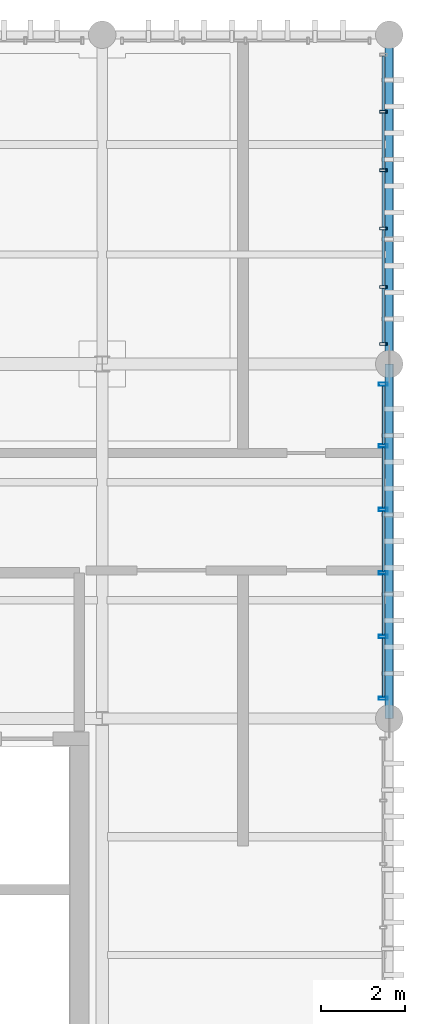
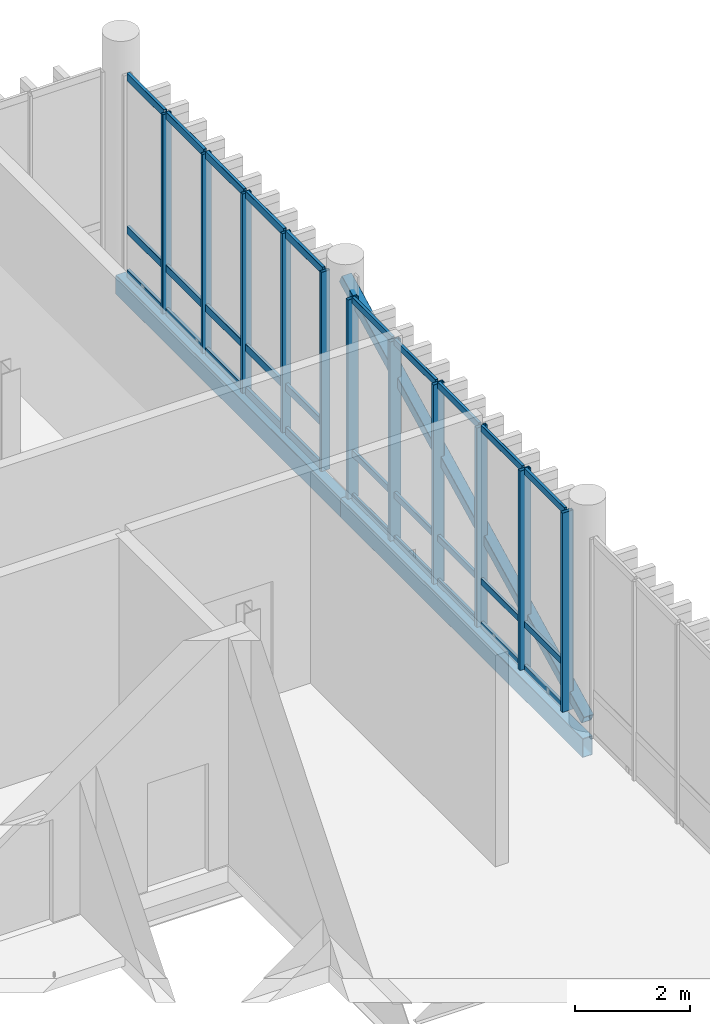
# One storey, part 58 of 86: 42 members, 2 beams, 2 elements without a shape of their own.
"""IFC4 building model written with IfcOpenShell, lengths in metres."""

from ifc_helpers import new_model, si_unit, direction, frame, origin_with_axes, origin_2d_with_axis, place, context, subcontext, project, spatial, hollow_rectangle, extrude, material, material_profile, profile_set, type_object, element, aggregate, save


model = new_model("IFC4")

# Units and contexts
model_context = context("Model", 3, precision=1e-05, world=origin_with_axes(), true_north=direction((0.0, 1.0)))
body_context = subcontext(model_context, "Body", "Model", "MODEL_VIEW")
ifc_project = project(units=[si_unit("LENGTHUNIT", "METRE"), si_unit("AREAUNIT", "SQUARE_METRE"), si_unit("VOLUMEUNIT", "CUBIC_METRE"), si_unit("PLANEANGLEUNIT", "RADIAN"), si_unit("MASSUNIT", "GRAM", prefix="KILO"), si_unit("THERMODYNAMICTEMPERATUREUNIT", "KELVIN")], contexts=[model_context])

# Site, building, storey
site_placement = place(None, origin_with_axes())
site = spatial("IfcSite", under=ifc_project, at=site_placement, CompositionType="ELEMENT")
building_placement = place(site_placement, origin_with_axes())
building = spatial("IfcBuilding", under=site, at=building_placement, Name="Montbau Bow Law Courts", CompositionType="ELEMENT")
storey_placement = place(building_placement, frame((0.0, 0.0, 29.7), z_axis=(0.0, 0.0, 1.0), x_axis=(1.0, 0.0, 0.0)))
storey = spatial("IfcBuildingStorey", under=building, at=storey_placement, Name="L06", CompositionType="ELEMENT", Elevation=29.7)

# Beams
ifc_material_1 = material(Name="Steel CSA G40.21 Grade 350WT (350 MPa)", Category="steel")
ifc_material_profile_1 = material_profile(ifc_material_1, hollow_rectangle(XDim=0.203, YDim=0.406, WallThickness=0.0127, InnerFilletRadius=0.0254, OuterFilletRadius=0.0127, at=origin_2d_with_axis()), Name="HSS406X203X13", Category="Main", Priority=0)
ifc_profile_set_1 = profile_set([ifc_material_profile_1], Name="Steel CSA G40.21 Grade 350WT (350 MPa)")
beam_type = type_object("IfcBeamType", Name="B-SPN-01", PredefinedType="SPANDREL", material=ifc_profile_set_1)
beam_1_placement = place(None, frame((169.4, 94.8, 29.157), z_axis=(0.0, 1.0, 0.0), x_axis=(-1.0, 0.0, 0.0)))
element("IfcBeam", 1, at=beam_1_placement, inside=storey, type_object=beam_type, Name="SPN-L06-S1336:bm2_1339", PredefinedType="SPANDREL", context=body_context, shape_type="SweptSolid", body=[
    extrude(hollow_rectangle(XDim=0.203, YDim=0.406, WallThickness=0.0127, InnerFilletRadius=0.0254, OuterFilletRadius=0.0127, at=origin_2d_with_axis()), origin_with_axes(), (0.0, 0.0, 1.0), 8.4),
])
beam_2_placement = place(None, frame((169.4, 103.2, 29.157), z_axis=(0.0, 1.0, 0.0), x_axis=(-1.0, 0.0, 0.0)))
element("IfcBeam", 2, at=beam_2_placement, inside=storey, type_object=beam_type, Name="SPN-L06-S1337:bm2_1340", PredefinedType="SPANDREL", context=body_context, shape_type="SweptSolid", body=[
    extrude(hollow_rectangle(XDim=0.203, YDim=0.406, WallThickness=0.0127, InnerFilletRadius=0.0254, OuterFilletRadius=0.0127, at=origin_2d_with_axis()), origin_with_axes(), (0.0, 0.0, 1.0), 7.8),
])

# Member
ifc_material_2 = material(Name="Steel CSA G40.21 Grade 350W (350 MPa)", Category="steel")
ifc_material_profile_2 = material_profile(ifc_material_2, hollow_rectangle(XDim=0.203, YDim=0.203, WallThickness=0.0111, InnerFilletRadius=0.0222, OuterFilletRadius=0.0111, at=origin_2d_with_axis()), Name="HSS203X203X11", Category="Main", Priority=0)
ifc_profile_set_2 = profile_set([ifc_material_profile_2], Name="Steel CSA G40.21 Grade 350W (350 MPa)")
member_type_1 = type_object("IfcMemberType", Name="M-BRC-02", PredefinedType="BRACE", material=ifc_profile_set_2)
member_1_placement = place(None, frame((169.4, 94.8, 29.75), z_axis=(0.0, 0.89199296, 0.452049289), x_axis=(-1.0, 0.0, 0.0)))
element("IfcMember", 3, at=member_1_placement, inside=storey, type_object=member_type_1, Name="Diagonal brace CBF-L06-078A", PredefinedType="BRACE", context=body_context, shape_type="SweptSolid", body=[
    extrude(hollow_rectangle(XDim=0.203, YDim=0.203, WallThickness=0.0111, InnerFilletRadius=0.0222, OuterFilletRadius=0.0111, at=origin_2d_with_axis()), origin_with_axes(), (0.0, 0.0, 1.0), 9.417115),
])

# Curtain wall, members
ifc_material_3 = material(Name="Thermally Broken Extruded Aluminium AA 6063-T6", Category="aluminium")
curtain_wall_type = type_object("IfcCurtainWallType", Name="CW-SLT-02", PredefinedType="NOTDEFINED", material=ifc_material_3)
curtain_wall_1_placement = place(None, frame((169.26, 95.24, 29.7), z_axis=(0.0, 0.0, 1.0), x_axis=(1.0, 0.0, 0.0)))
curtain_wall_1 = element("IfcCurtainWall", 4, at=curtain_wall_1_placement, inside=storey, type_object=curtain_wall_type, Name="CW-L06-363:cw_0363", PredefinedType="NOTDEFINED")
ifc_material_profile_3 = material_profile(ifc_material_3, hollow_rectangle(XDim=0.075, YDim=0.22, WallThickness=0.005, InnerFilletRadius=0.01, OuterFilletRadius=0.005, at=origin_2d_with_axis()), Name="CWM-220X75", Category="Main", Priority=0)
ifc_profile_set_3 = profile_set([ifc_material_profile_3], Name="Thermally Broken Extruded Aluminium AA 6063-T6")
member_type_2 = type_object("IfcMemberType", Name="M-MUL-01", PredefinedType="MULLION", material=ifc_profile_set_3)
member_2_placement = place(None, frame((169.26, 95.277, 29.7), z_axis=(0.0, 0.0, 1.0), x_axis=(0.0, 1.0, 0.0)))
member_2 = element("IfcMember", 5, at=member_2_placement, type_object=member_type_2, Name="CW-L06-363-M01:cw_0363_M01", PredefinedType="MULLION", context=body_context, shape_type="SweptSolid", body=[
    extrude(hollow_rectangle(XDim=0.075, YDim=0.22, WallThickness=0.005, InnerFilletRadius=0.01, OuterFilletRadius=0.005, at=origin_2d_with_axis()), origin_with_axes(), (0.0, 0.0, 1.0), 4.22),
])
member_3_placement = place(None, frame((169.26, 96.744, 29.7), z_axis=(0.0, 0.0, 1.0), x_axis=(0.0, 1.0, 0.0)))
member_3 = element("IfcMember", 6, at=member_3_placement, type_object=member_type_2, Name="CW-L06-363-M02:cw_0363_M02", PredefinedType="MULLION", context=body_context, shape_type="SweptSolid", body=[
    extrude(hollow_rectangle(XDim=0.075, YDim=0.22, WallThickness=0.005, InnerFilletRadius=0.01, OuterFilletRadius=0.005, at=origin_2d_with_axis()), origin_with_axes(), (0.0, 0.0, 1.0), 4.22),
])
member_4_placement = place(None, frame((169.26, 98.248, 29.7), z_axis=(0.0, 0.0, 1.0), x_axis=(0.0, 1.0, 0.0)))
member_4 = element("IfcMember", 7, at=member_4_placement, type_object=member_type_2, Name="CW-L06-363-M03:cw_0363_M03", PredefinedType="MULLION", context=body_context, shape_type="SweptSolid", body=[
    extrude(hollow_rectangle(XDim=0.075, YDim=0.22, WallThickness=0.005, InnerFilletRadius=0.01, OuterFilletRadius=0.005, at=origin_2d_with_axis()), origin_with_axes(), (0.0, 0.0, 1.0), 4.22),
])
member_5_placement = place(None, frame((169.26, 99.752, 29.7), z_axis=(0.0, 0.0, 1.0), x_axis=(0.0, 1.0, 0.0)))
member_5 = element("IfcMember", 8, at=member_5_placement, type_object=member_type_2, Name="CW-L06-363-M04:cw_0363_M04", PredefinedType="MULLION", context=body_context, shape_type="SweptSolid", body=[
    extrude(hollow_rectangle(XDim=0.075, YDim=0.22, WallThickness=0.005, InnerFilletRadius=0.01, OuterFilletRadius=0.005, at=origin_2d_with_axis()), origin_with_axes(), (0.0, 0.0, 1.0), 4.22),
])
member_6_placement = place(None, frame((169.26, 101.256, 29.7), z_axis=(0.0, 0.0, 1.0), x_axis=(0.0, 1.0, 0.0)))
member_6 = element("IfcMember", 9, at=member_6_placement, type_object=member_type_2, Name="CW-L06-363-M05:cw_0363_M05", PredefinedType="MULLION", context=body_context, shape_type="SweptSolid", body=[
    extrude(hollow_rectangle(XDim=0.075, YDim=0.22, WallThickness=0.005, InnerFilletRadius=0.01, OuterFilletRadius=0.005, at=origin_2d_with_axis()), origin_with_axes(), (0.0, 0.0, 1.0), 4.22),
])
member_7_placement = place(None, frame((169.26, 102.723, 29.7), z_axis=(0.0, 0.0, 1.0), x_axis=(0.0, 1.0, 0.0)))
member_7 = element("IfcMember", 10, at=member_7_placement, type_object=member_type_2, Name="CW-L06-363-M06:cw_0363_M06", PredefinedType="MULLION", context=body_context, shape_type="SweptSolid", body=[
    extrude(hollow_rectangle(XDim=0.075, YDim=0.22, WallThickness=0.005, InnerFilletRadius=0.01, OuterFilletRadius=0.005, at=origin_2d_with_axis()), origin_with_axes(), (0.0, 0.0, 1.0), 4.22),
])

curtain_wall_2_placement = place(None, frame((169.26, 103.64, 29.7), z_axis=(0.0, 0.0, 1.0), x_axis=(1.0, 0.0, 0.0)))
curtain_wall_2 = element("IfcCurtainWall", 11, at=curtain_wall_2_placement, inside=storey, type_object=curtain_wall_type, Name="CW-L06-364:cw_0364", PredefinedType="NOTDEFINED")
ifc_material_profile_4 = material_profile(ifc_material_3, hollow_rectangle(XDim=0.065, YDim=0.18, WallThickness=0.005, InnerFilletRadius=0.01, OuterFilletRadius=0.005, at=origin_2d_with_axis()), Name="CWM-180X65", Category="Main", Priority=0)
ifc_profile_set_4 = profile_set([ifc_material_profile_4], Name="Thermally Broken Extruded Aluminium AA 6063-T6")
member_type_3 = type_object("IfcMemberType", Name="M-MUL-02", PredefinedType="MULLION", material=ifc_profile_set_4)
member_8_placement = place(None, frame((169.26, 103.673, 29.7), z_axis=(0.0, 0.0, 1.0), x_axis=(0.0, 1.0, 0.0)))
member_8 = element("IfcMember", 12, at=member_8_placement, type_object=member_type_3, Name="CW-L06-364-M01:cw_0364_M01", PredefinedType="MULLION", context=body_context, shape_type="SweptSolid", body=[
    extrude(hollow_rectangle(XDim=0.065, YDim=0.18, WallThickness=0.005, InnerFilletRadius=0.01, OuterFilletRadius=0.005, at=origin_2d_with_axis()), origin_with_axes(), (0.0, 0.0, 1.0), 4.22),
])
member_9_placement = place(None, frame((169.26, 105.024, 29.7), z_axis=(0.0, 0.0, 1.0), x_axis=(0.0, 1.0, 0.0)))
member_9 = element("IfcMember", 13, at=member_9_placement, type_object=member_type_3, Name="CW-L06-364-M02:cw_0364_M02", PredefinedType="MULLION", context=body_context, shape_type="SweptSolid", body=[
    extrude(hollow_rectangle(XDim=0.065, YDim=0.18, WallThickness=0.005, InnerFilletRadius=0.01, OuterFilletRadius=0.005, at=origin_2d_with_axis()), origin_with_axes(), (0.0, 0.0, 1.0), 4.22),
])
member_10_placement = place(None, frame((169.26, 106.408, 29.7), z_axis=(0.0, 0.0, 1.0), x_axis=(0.0, 1.0, 0.0)))
member_10 = element("IfcMember", 14, at=member_10_placement, type_object=member_type_3, Name="CW-L06-364-M03:cw_0364_M03", PredefinedType="MULLION", context=body_context, shape_type="SweptSolid", body=[
    extrude(hollow_rectangle(XDim=0.065, YDim=0.18, WallThickness=0.005, InnerFilletRadius=0.01, OuterFilletRadius=0.005, at=origin_2d_with_axis()), origin_with_axes(), (0.0, 0.0, 1.0), 4.22),
])
member_11_placement = place(None, frame((169.26, 107.792, 29.7), z_axis=(0.0, 0.0, 1.0), x_axis=(0.0, 1.0, 0.0)))
member_11 = element("IfcMember", 15, at=member_11_placement, type_object=member_type_3, Name="CW-L06-364-M04:cw_0364_M04", PredefinedType="MULLION", context=body_context, shape_type="SweptSolid", body=[
    extrude(hollow_rectangle(XDim=0.065, YDim=0.18, WallThickness=0.005, InnerFilletRadius=0.01, OuterFilletRadius=0.005, at=origin_2d_with_axis()), origin_with_axes(), (0.0, 0.0, 1.0), 4.22),
])
member_12_placement = place(None, frame((169.26, 109.176, 29.7), z_axis=(0.0, 0.0, 1.0), x_axis=(0.0, 1.0, 0.0)))
member_12 = element("IfcMember", 16, at=member_12_placement, type_object=member_type_3, Name="CW-L06-364-M05:cw_0364_M05", PredefinedType="MULLION", context=body_context, shape_type="SweptSolid", body=[
    extrude(hollow_rectangle(XDim=0.065, YDim=0.18, WallThickness=0.005, InnerFilletRadius=0.01, OuterFilletRadius=0.005, at=origin_2d_with_axis()), origin_with_axes(), (0.0, 0.0, 1.0), 4.22),
])
ifc_material_profile_5 = material_profile(ifc_material_3, hollow_rectangle(XDim=0.06, YDim=0.16, WallThickness=0.004, InnerFilletRadius=0.008, OuterFilletRadius=0.004, at=origin_2d_with_axis()), Name="CWT-160X60", Category="Main", Priority=0)
ifc_profile_set_5 = profile_set([ifc_material_profile_5], Name="Thermally Broken Extruded Aluminium AA 6063-T6")
member_type_4 = type_object("IfcMemberType", Name="M-TRN-01", PredefinedType="USERDEFINED", material=ifc_profile_set_5)
member_13_placement = place(None, frame((169.26, 103.708, 29.73), z_axis=(0.0, 1.0, 0.0), x_axis=(-1.0, 0.0, 0.0)))
member_13 = element("IfcMember", 17, at=member_13_placement, type_object=member_type_4, Name="CW-L06-364-T01-1:cw_0364_T01_1", ObjectType="TRANSOM", PredefinedType="USERDEFINED", context=body_context, shape_type="SweptSolid", body=[
    extrude(hollow_rectangle(XDim=0.06, YDim=0.16, WallThickness=0.004, InnerFilletRadius=0.008, OuterFilletRadius=0.004, at=origin_2d_with_axis()), origin_with_axes(), (0.0, 0.0, 1.0), 1.281),
])
member_14_placement = place(None, frame((169.26, 103.708, 30.65), z_axis=(0.0, 1.0, 0.0), x_axis=(-1.0, 0.0, 0.0)))
member_14 = element("IfcMember", 18, at=member_14_placement, type_object=member_type_4, Name="CW-L06-364-T01-2:cw_0364_T01_2", ObjectType="TRANSOM", PredefinedType="USERDEFINED", context=body_context, shape_type="SweptSolid", body=[
    extrude(hollow_rectangle(XDim=0.06, YDim=0.16, WallThickness=0.004, InnerFilletRadius=0.008, OuterFilletRadius=0.004, at=origin_2d_with_axis()), origin_with_axes(), (0.0, 0.0, 1.0), 1.281),
])
member_15_placement = place(None, frame((169.26, 103.708, 33.89), z_axis=(0.0, 1.0, 0.0), x_axis=(-1.0, 0.0, 0.0)))
member_15 = element("IfcMember", 19, at=member_15_placement, type_object=member_type_4, Name="CW-L06-364-T01-3:cw_0364_T01_3", ObjectType="TRANSOM", PredefinedType="USERDEFINED", context=body_context, shape_type="SweptSolid", body=[
    extrude(hollow_rectangle(XDim=0.06, YDim=0.16, WallThickness=0.004, InnerFilletRadius=0.008, OuterFilletRadius=0.004, at=origin_2d_with_axis()), origin_with_axes(), (0.0, 0.0, 1.0), 1.281),
])
member_16_placement = place(None, frame((169.26, 105.058, 29.73), z_axis=(0.0, 1.0, 0.0), x_axis=(-1.0, 0.0, 0.0)))
member_16 = element("IfcMember", 20, at=member_16_placement, type_object=member_type_4, Name="CW-L06-364-T02-1:cw_0364_T02_1", ObjectType="TRANSOM", PredefinedType="USERDEFINED", context=body_context, shape_type="SweptSolid", body=[
    extrude(hollow_rectangle(XDim=0.06, YDim=0.16, WallThickness=0.004, InnerFilletRadius=0.008, OuterFilletRadius=0.004, at=origin_2d_with_axis()), origin_with_axes(), (0.0, 0.0, 1.0), 1.315),
])
member_17_placement = place(None, frame((169.26, 105.058, 30.65), z_axis=(0.0, 1.0, 0.0), x_axis=(-1.0, 0.0, 0.0)))
member_17 = element("IfcMember", 21, at=member_17_placement, type_object=member_type_4, Name="CW-L06-364-T02-2:cw_0364_T02_2", ObjectType="TRANSOM", PredefinedType="USERDEFINED", context=body_context, shape_type="SweptSolid", body=[
    extrude(hollow_rectangle(XDim=0.06, YDim=0.16, WallThickness=0.004, InnerFilletRadius=0.008, OuterFilletRadius=0.004, at=origin_2d_with_axis()), origin_with_axes(), (0.0, 0.0, 1.0), 1.315),
])
member_18_placement = place(None, frame((169.26, 105.058, 33.89), z_axis=(0.0, 1.0, 0.0), x_axis=(-1.0, 0.0, 0.0)))
member_18 = element("IfcMember", 22, at=member_18_placement, type_object=member_type_4, Name="CW-L06-364-T02-3:cw_0364_T02_3", ObjectType="TRANSOM", PredefinedType="USERDEFINED", context=body_context, shape_type="SweptSolid", body=[
    extrude(hollow_rectangle(XDim=0.06, YDim=0.16, WallThickness=0.004, InnerFilletRadius=0.008, OuterFilletRadius=0.004, at=origin_2d_with_axis()), origin_with_axes(), (0.0, 0.0, 1.0), 1.315),
])
member_19_placement = place(None, frame((169.26, 106.442, 29.73), z_axis=(0.0, 1.0, 0.0), x_axis=(-1.0, 0.0, 0.0)))
member_19 = element("IfcMember", 23, at=member_19_placement, type_object=member_type_4, Name="CW-L06-364-T03-1:cw_0364_T03_1", ObjectType="TRANSOM", PredefinedType="USERDEFINED", context=body_context, shape_type="SweptSolid", body=[
    extrude(hollow_rectangle(XDim=0.06, YDim=0.16, WallThickness=0.004, InnerFilletRadius=0.008, OuterFilletRadius=0.004, at=origin_2d_with_axis()), origin_with_axes(), (0.0, 0.0, 1.0), 1.316),
])
member_20_placement = place(None, frame((169.26, 106.442, 30.65), z_axis=(0.0, 1.0, 0.0), x_axis=(-1.0, 0.0, 0.0)))
member_20 = element("IfcMember", 24, at=member_20_placement, type_object=member_type_4, Name="CW-L06-364-T03-2:cw_0364_T03_2", ObjectType="TRANSOM", PredefinedType="USERDEFINED", context=body_context, shape_type="SweptSolid", body=[
    extrude(hollow_rectangle(XDim=0.06, YDim=0.16, WallThickness=0.004, InnerFilletRadius=0.008, OuterFilletRadius=0.004, at=origin_2d_with_axis()), origin_with_axes(), (0.0, 0.0, 1.0), 1.316),
])
member_21_placement = place(None, frame((169.26, 106.442, 33.89), z_axis=(0.0, 1.0, 0.0), x_axis=(-1.0, 0.0, 0.0)))
member_21 = element("IfcMember", 25, at=member_21_placement, type_object=member_type_4, Name="CW-L06-364-T03-3:cw_0364_T03_3", ObjectType="TRANSOM", PredefinedType="USERDEFINED", context=body_context, shape_type="SweptSolid", body=[
    extrude(hollow_rectangle(XDim=0.06, YDim=0.16, WallThickness=0.004, InnerFilletRadius=0.008, OuterFilletRadius=0.004, at=origin_2d_with_axis()), origin_with_axes(), (0.0, 0.0, 1.0), 1.316),
])
member_22_placement = place(None, frame((169.26, 107.826, 29.73), z_axis=(0.0, 1.0, 0.0), x_axis=(-1.0, 0.0, 0.0)))
member_22 = element("IfcMember", 26, at=member_22_placement, type_object=member_type_4, Name="CW-L06-364-T04-1:cw_0364_T04_1", ObjectType="TRANSOM", PredefinedType="USERDEFINED", context=body_context, shape_type="SweptSolid", body=[
    extrude(hollow_rectangle(XDim=0.06, YDim=0.16, WallThickness=0.004, InnerFilletRadius=0.008, OuterFilletRadius=0.004, at=origin_2d_with_axis()), origin_with_axes(), (0.0, 0.0, 1.0), 1.316),
])
member_23_placement = place(None, frame((169.26, 107.826, 30.65), z_axis=(0.0, 1.0, 0.0), x_axis=(-1.0, 0.0, 0.0)))
member_23 = element("IfcMember", 27, at=member_23_placement, type_object=member_type_4, Name="CW-L06-364-T04-2:cw_0364_T04_2", ObjectType="TRANSOM", PredefinedType="USERDEFINED", context=body_context, shape_type="SweptSolid", body=[
    extrude(hollow_rectangle(XDim=0.06, YDim=0.16, WallThickness=0.004, InnerFilletRadius=0.008, OuterFilletRadius=0.004, at=origin_2d_with_axis()), origin_with_axes(), (0.0, 0.0, 1.0), 1.316),
])
member_24_placement = place(None, frame((169.26, 107.826, 33.89), z_axis=(0.0, 1.0, 0.0), x_axis=(-1.0, 0.0, 0.0)))
member_24 = element("IfcMember", 28, at=member_24_placement, type_object=member_type_4, Name="CW-L06-364-T04-3:cw_0364_T04_3", ObjectType="TRANSOM", PredefinedType="USERDEFINED", context=body_context, shape_type="SweptSolid", body=[
    extrude(hollow_rectangle(XDim=0.06, YDim=0.16, WallThickness=0.004, InnerFilletRadius=0.008, OuterFilletRadius=0.004, at=origin_2d_with_axis()), origin_with_axes(), (0.0, 0.0, 1.0), 1.316),
])
member_25_placement = place(None, frame((169.26, 109.21, 29.73), z_axis=(0.0, 1.0, 0.0), x_axis=(-1.0, 0.0, 0.0)))
member_25 = element("IfcMember", 29, at=member_25_placement, type_object=member_type_4, Name="CW-L06-364-T05-1:cw_0364_T05_1", ObjectType="TRANSOM", PredefinedType="USERDEFINED", context=body_context, shape_type="SweptSolid", body=[
    extrude(hollow_rectangle(XDim=0.06, YDim=0.16, WallThickness=0.004, InnerFilletRadius=0.008, OuterFilletRadius=0.004, at=origin_2d_with_axis()), origin_with_axes(), (0.0, 0.0, 1.0), 1.284),
])
member_26_placement = place(None, frame((169.26, 109.21, 30.65), z_axis=(0.0, 1.0, 0.0), x_axis=(-1.0, 0.0, 0.0)))
member_26 = element("IfcMember", 30, at=member_26_placement, type_object=member_type_4, Name="CW-L06-364-T05-2:cw_0364_T05_2", ObjectType="TRANSOM", PredefinedType="USERDEFINED", context=body_context, shape_type="SweptSolid", body=[
    extrude(hollow_rectangle(XDim=0.06, YDim=0.16, WallThickness=0.004, InnerFilletRadius=0.008, OuterFilletRadius=0.004, at=origin_2d_with_axis()), origin_with_axes(), (0.0, 0.0, 1.0), 1.284),
])
member_27_placement = place(None, frame((169.26, 109.21, 33.89), z_axis=(0.0, 1.0, 0.0), x_axis=(-1.0, 0.0, 0.0)))
member_27 = element("IfcMember", 31, at=member_27_placement, type_object=member_type_4, Name="CW-L06-364-T05-3:cw_0364_T05_3", ObjectType="TRANSOM", PredefinedType="USERDEFINED", context=body_context, shape_type="SweptSolid", body=[
    extrude(hollow_rectangle(XDim=0.06, YDim=0.16, WallThickness=0.004, InnerFilletRadius=0.008, OuterFilletRadius=0.004, at=origin_2d_with_axis()), origin_with_axes(), (0.0, 0.0, 1.0), 1.284),
])
aggregate(curtain_wall_2, [member_8, member_9, member_10, member_11, member_12, member_13, member_14, member_15, member_16, member_17, member_18, member_19, member_20, member_21, member_22, member_23, member_24, member_25, member_26, member_27])

# Member
ifc_material_profile_6 = material_profile(ifc_material_3, hollow_rectangle(XDim=0.055, YDim=0.14, WallThickness=0.004, InnerFilletRadius=0.008, OuterFilletRadius=0.004, at=origin_2d_with_axis()), Name="CWT-140X55", Category="Main", Priority=0)
ifc_profile_set_6 = profile_set([ifc_material_profile_6], Name="Thermally Broken Extruded Aluminium AA 6063-T6")
member_type_5 = type_object("IfcMemberType", Name="M-TRN-02", PredefinedType="USERDEFINED", material=ifc_profile_set_6)
member_28_placement = place(None, frame((169.26, 95.316, 29.727), z_axis=(0.0, 1.0, 0.0), x_axis=(-1.0, 0.0, 0.0)))
member_28 = element("IfcMember", 32, at=member_28_placement, type_object=member_type_5, Name="CW-L06-363-T01-1:cw_0363_T01_1", ObjectType="TRANSOM", PredefinedType="USERDEFINED", context=body_context, shape_type="SweptSolid", body=[
    extrude(hollow_rectangle(XDim=0.055, YDim=0.14, WallThickness=0.004, InnerFilletRadius=0.008, OuterFilletRadius=0.004, at=origin_2d_with_axis()), origin_with_axes(), (0.0, 0.0, 1.0), 1.388),
])

member_29_placement = place(None, frame((169.26, 95.316, 30.65), z_axis=(0.0, 1.0, 0.0), x_axis=(-1.0, 0.0, 0.0)))
member_29 = element("IfcMember", 33, at=member_29_placement, type_object=member_type_5, Name="CW-L06-363-T01-2:cw_0363_T01_2", ObjectType="TRANSOM", PredefinedType="USERDEFINED", context=body_context, shape_type="SweptSolid", body=[
    extrude(hollow_rectangle(XDim=0.055, YDim=0.14, WallThickness=0.004, InnerFilletRadius=0.008, OuterFilletRadius=0.004, at=origin_2d_with_axis()), origin_with_axes(), (0.0, 0.0, 1.0), 1.388),
])

member_30_placement = place(None, frame((169.26, 95.316, 33.892), z_axis=(0.0, 1.0, 0.0), x_axis=(-1.0, 0.0, 0.0)))
member_30 = element("IfcMember", 34, at=member_30_placement, type_object=member_type_5, Name="CW-L06-363-T01-3:cw_0363_T01_3", ObjectType="TRANSOM", PredefinedType="USERDEFINED", context=body_context, shape_type="SweptSolid", body=[
    extrude(hollow_rectangle(XDim=0.055, YDim=0.14, WallThickness=0.004, InnerFilletRadius=0.008, OuterFilletRadius=0.004, at=origin_2d_with_axis()), origin_with_axes(), (0.0, 0.0, 1.0), 1.388),
])

member_31_placement = place(None, frame((169.26, 96.784, 29.727), z_axis=(0.0, 1.0, 0.0), x_axis=(-1.0, 0.0, 0.0)))
member_31 = element("IfcMember", 35, at=member_31_placement, type_object=member_type_5, Name="CW-L06-363-T02-1:cw_0363_T02_1", ObjectType="TRANSOM", PredefinedType="USERDEFINED", context=body_context, shape_type="SweptSolid", body=[
    extrude(hollow_rectangle(XDim=0.055, YDim=0.14, WallThickness=0.004, InnerFilletRadius=0.008, OuterFilletRadius=0.004, at=origin_2d_with_axis()), origin_with_axes(), (0.0, 0.0, 1.0), 1.425),
])

member_32_placement = place(None, frame((169.26, 96.784, 30.65), z_axis=(0.0, 1.0, 0.0), x_axis=(-1.0, 0.0, 0.0)))
member_32 = element("IfcMember", 36, at=member_32_placement, type_object=member_type_5, Name="CW-L06-363-T02-2:cw_0363_T02_2", ObjectType="TRANSOM", PredefinedType="USERDEFINED", context=body_context, shape_type="SweptSolid", body=[
    extrude(hollow_rectangle(XDim=0.055, YDim=0.14, WallThickness=0.004, InnerFilletRadius=0.008, OuterFilletRadius=0.004, at=origin_2d_with_axis()), origin_with_axes(), (0.0, 0.0, 1.0), 1.425),
])

member_33_placement = place(None, frame((169.26, 96.784, 33.892), z_axis=(0.0, 1.0, 0.0), x_axis=(-1.0, 0.0, 0.0)))
member_33 = element("IfcMember", 37, at=member_33_placement, type_object=member_type_5, Name="CW-L06-363-T02-3:cw_0363_T02_3", ObjectType="TRANSOM", PredefinedType="USERDEFINED", context=body_context, shape_type="SweptSolid", body=[
    extrude(hollow_rectangle(XDim=0.055, YDim=0.14, WallThickness=0.004, InnerFilletRadius=0.008, OuterFilletRadius=0.004, at=origin_2d_with_axis()), origin_with_axes(), (0.0, 0.0, 1.0), 1.425),
])

member_34_placement = place(None, frame((169.26, 98.287, 29.727), z_axis=(0.0, 1.0, 0.0), x_axis=(-1.0, 0.0, 0.0)))
member_34 = element("IfcMember", 38, at=member_34_placement, type_object=member_type_5, Name="CW-L06-363-T03-1:cw_0363_T03_1", ObjectType="TRANSOM", PredefinedType="USERDEFINED", context=body_context, shape_type="SweptSolid", body=[
    extrude(hollow_rectangle(XDim=0.055, YDim=0.14, WallThickness=0.004, InnerFilletRadius=0.008, OuterFilletRadius=0.004, at=origin_2d_with_axis()), origin_with_axes(), (0.0, 0.0, 1.0), 1.426),
])

member_35_placement = place(None, frame((169.26, 98.287, 30.65), z_axis=(0.0, 1.0, 0.0), x_axis=(-1.0, 0.0, 0.0)))
member_35 = element("IfcMember", 39, at=member_35_placement, type_object=member_type_5, Name="CW-L06-363-T03-2:cw_0363_T03_2", ObjectType="TRANSOM", PredefinedType="USERDEFINED", context=body_context, shape_type="SweptSolid", body=[
    extrude(hollow_rectangle(XDim=0.055, YDim=0.14, WallThickness=0.004, InnerFilletRadius=0.008, OuterFilletRadius=0.004, at=origin_2d_with_axis()), origin_with_axes(), (0.0, 0.0, 1.0), 1.426),
])

member_36_placement = place(None, frame((169.26, 98.287, 33.892), z_axis=(0.0, 1.0, 0.0), x_axis=(-1.0, 0.0, 0.0)))
member_36 = element("IfcMember", 40, at=member_36_placement, type_object=member_type_5, Name="CW-L06-363-T03-3:cw_0363_T03_3", ObjectType="TRANSOM", PredefinedType="USERDEFINED", context=body_context, shape_type="SweptSolid", body=[
    extrude(hollow_rectangle(XDim=0.055, YDim=0.14, WallThickness=0.004, InnerFilletRadius=0.008, OuterFilletRadius=0.004, at=origin_2d_with_axis()), origin_with_axes(), (0.0, 0.0, 1.0), 1.426),
])

member_37_placement = place(None, frame((169.26, 99.791, 29.727), z_axis=(0.0, 1.0, 0.0), x_axis=(-1.0, 0.0, 0.0)))
member_37 = element("IfcMember", 41, at=member_37_placement, type_object=member_type_5, Name="CW-L06-363-T04-1:cw_0363_T04_1", ObjectType="TRANSOM", PredefinedType="USERDEFINED", context=body_context, shape_type="SweptSolid", body=[
    extrude(hollow_rectangle(XDim=0.055, YDim=0.14, WallThickness=0.004, InnerFilletRadius=0.008, OuterFilletRadius=0.004, at=origin_2d_with_axis()), origin_with_axes(), (0.0, 0.0, 1.0), 1.426),
])

member_38_placement = place(None, frame((169.26, 99.791, 30.65), z_axis=(0.0, 1.0, 0.0), x_axis=(-1.0, 0.0, 0.0)))
member_38 = element("IfcMember", 42, at=member_38_placement, type_object=member_type_5, Name="CW-L06-363-T04-2:cw_0363_T04_2", ObjectType="TRANSOM", PredefinedType="USERDEFINED", context=body_context, shape_type="SweptSolid", body=[
    extrude(hollow_rectangle(XDim=0.055, YDim=0.14, WallThickness=0.004, InnerFilletRadius=0.008, OuterFilletRadius=0.004, at=origin_2d_with_axis()), origin_with_axes(), (0.0, 0.0, 1.0), 1.426),
])

member_39_placement = place(None, frame((169.26, 99.791, 33.892), z_axis=(0.0, 1.0, 0.0), x_axis=(-1.0, 0.0, 0.0)))
member_39 = element("IfcMember", 43, at=member_39_placement, type_object=member_type_5, Name="CW-L06-363-T04-3:cw_0363_T04_3", ObjectType="TRANSOM", PredefinedType="USERDEFINED", context=body_context, shape_type="SweptSolid", body=[
    extrude(hollow_rectangle(XDim=0.055, YDim=0.14, WallThickness=0.004, InnerFilletRadius=0.008, OuterFilletRadius=0.004, at=origin_2d_with_axis()), origin_with_axes(), (0.0, 0.0, 1.0), 1.426),
])

member_40_placement = place(None, frame((169.26, 101.295, 29.727), z_axis=(0.0, 1.0, 0.0), x_axis=(-1.0, 0.0, 0.0)))
member_40 = element("IfcMember", 44, at=member_40_placement, type_object=member_type_5, Name="CW-L06-363-T05-1:cw_0363_T05_1", ObjectType="TRANSOM", PredefinedType="USERDEFINED", context=body_context, shape_type="SweptSolid", body=[
    extrude(hollow_rectangle(XDim=0.055, YDim=0.14, WallThickness=0.004, InnerFilletRadius=0.008, OuterFilletRadius=0.004, at=origin_2d_with_axis()), origin_with_axes(), (0.0, 0.0, 1.0), 1.389),
])

member_41_placement = place(None, frame((169.26, 101.295, 30.65), z_axis=(0.0, 1.0, 0.0), x_axis=(-1.0, 0.0, 0.0)))
member_41 = element("IfcMember", 45, at=member_41_placement, type_object=member_type_5, Name="CW-L06-363-T05-2:cw_0363_T05_2", ObjectType="TRANSOM", PredefinedType="USERDEFINED", context=body_context, shape_type="SweptSolid", body=[
    extrude(hollow_rectangle(XDim=0.055, YDim=0.14, WallThickness=0.004, InnerFilletRadius=0.008, OuterFilletRadius=0.004, at=origin_2d_with_axis()), origin_with_axes(), (0.0, 0.0, 1.0), 1.389),
])

member_42_placement = place(None, frame((169.26, 101.295, 33.892), z_axis=(0.0, 1.0, 0.0), x_axis=(-1.0, 0.0, 0.0)))
member_42 = element("IfcMember", 46, at=member_42_placement, type_object=member_type_5, Name="CW-L06-363-T05-3:cw_0363_T05_3", ObjectType="TRANSOM", PredefinedType="USERDEFINED", context=body_context, shape_type="SweptSolid", body=[
    extrude(hollow_rectangle(XDim=0.055, YDim=0.14, WallThickness=0.004, InnerFilletRadius=0.008, OuterFilletRadius=0.004, at=origin_2d_with_axis()), origin_with_axes(), (0.0, 0.0, 1.0), 1.389),
])

aggregate(curtain_wall_1, [member_2, member_3, member_4, member_5, member_6, member_7, member_28, member_29, member_30, member_31, member_32, member_33, member_34, member_35, member_36, member_37, member_38, member_39, member_40, member_41, member_42])

save(model, "model.ifc")
